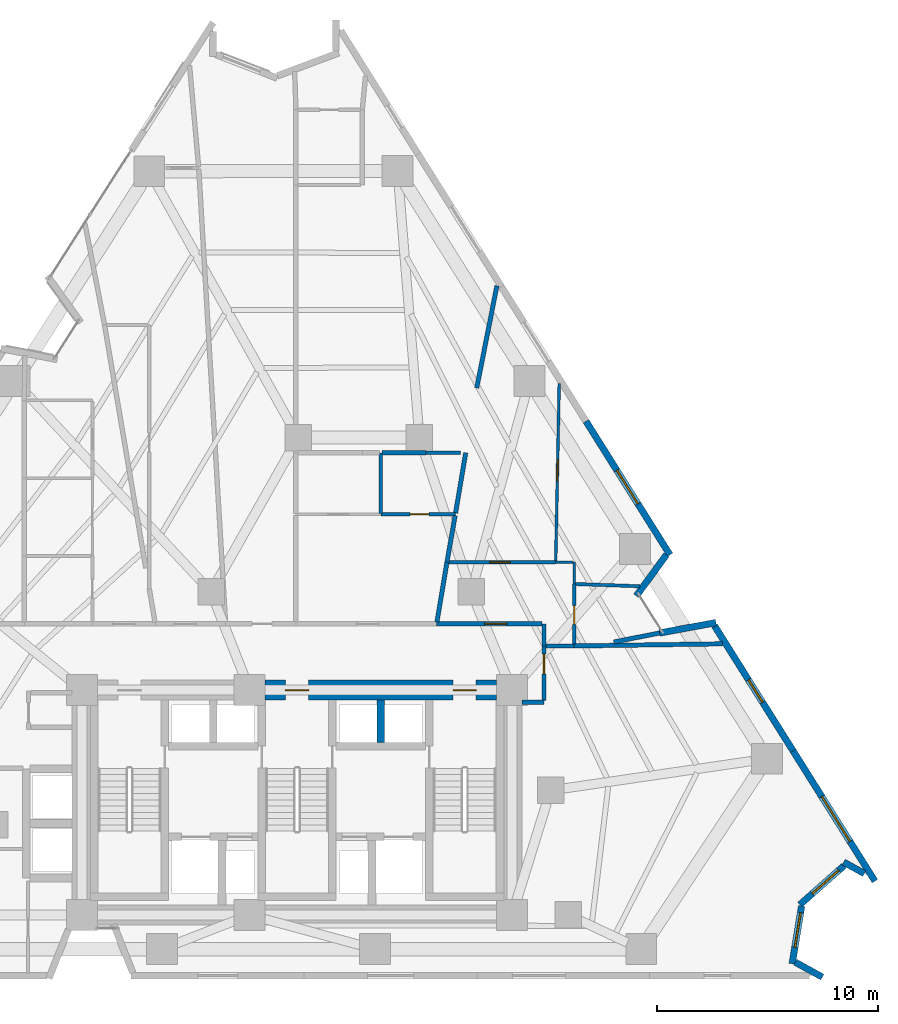
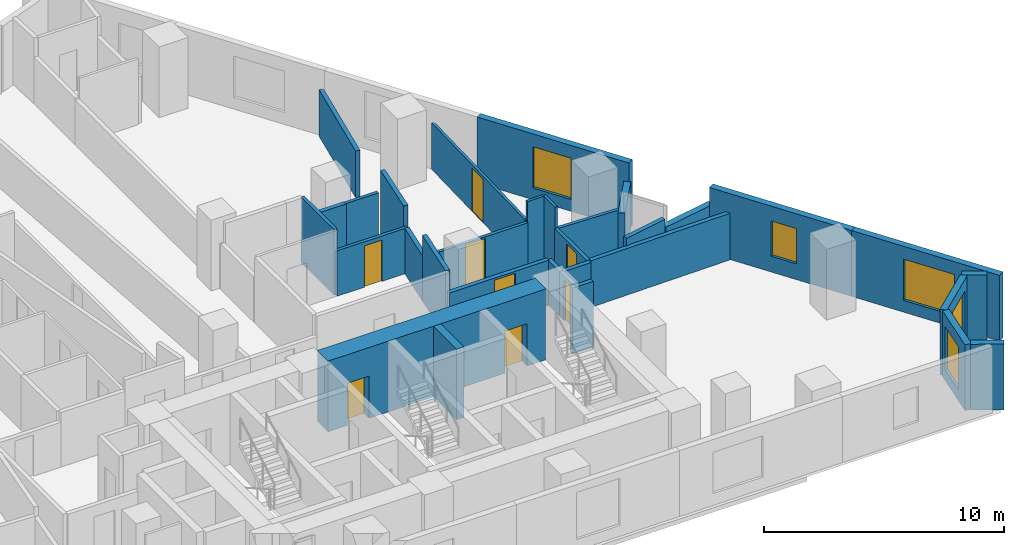
# One storey, part 9 of 12: 32 walls, 8 doors, 5 windows, 13 openings.
"""IFC4 building model written with IfcOpenShell, lengths in metres."""

from ifc_helpers import new_model, si_unit, direction, frame, frame_2d, origin, place, context, subcontext, project, spatial, rectangle, extrude, material, layer, layer_set, type_object, element, fill, save


model = new_model("IFC4")

# Units and contexts
model_context = context("Model", 3, precision=1e-05, world=origin(), true_north=direction((0.0, 1.0)))
body_context = subcontext(model_context, "Body", "Model", "MODEL_VIEW")
ifc_project = project(units=[si_unit("LENGTHUNIT", "METRE"), si_unit("AREAUNIT", "SQUARE_METRE"), si_unit("VOLUMEUNIT", "CUBIC_METRE"), si_unit("PLANEANGLEUNIT", "RADIAN"), si_unit("MASSUNIT", "GRAM", prefix="KILO")], contexts=[model_context])

# Site, building, storey
site_placement = place(None, origin())
site = spatial("IfcSite", under=ifc_project, at=site_placement, CompositionType="ELEMENT")
building_placement = place(site_placement, origin())
building = spatial("IfcBuilding", under=site, at=building_placement, Name="Almagre Mirador Tower", CompositionType="ELEMENT")
storey_placement = place(building_placement, frame((0.0, 0.0, 64.199951171875)))
storey = spatial("IfcBuildingStorey", under=building, at=storey_placement, Name="L15", CompositionType="ELEMENT", Elevation=64.199951171875)

# Wall, opening, window
ifc_material_1 = material(Name="Precast concrete C50/60", Category="concrete")
ifc_layer_1 = layer(ifc_material_1, 0.300048828125)
ifc_layer_set_1 = layer_set([ifc_layer_1], Name="Precast concrete C50/60")
wall_type_1 = type_object("IfcWallType", Name="WAL-EXT-300", PredefinedType="SOLIDWALL", material=ifc_layer_set_1)
wall_1_placement = place(storey_placement, frame((50.4072265625, 26.94140625, 0.0), z_axis=(0.0, 0.0, 1.0), x_axis=(0.531893353762, -0.846811348663, 0.0)))
wall_1 = element("IfcWall", 1, at=wall_1_placement, inside=storey, type_object=wall_type_1, Name="L15 expressed almagre precast frame wall 11", PredefinedType="SOLIDWALL", context=body_context, shape_type="SweptSolid", body=[
    extrude(rectangle(XDim=7.154052734375, YDim=0.300048828125, at=frame_2d((3.5771484375, 0.0))), origin(), (0.0, 0.0, 1.0), 3.35009765625),
])
opening_1_placement = place(wall_1_placement, frame((2.625, 0.0, 0.60009765625)))
opening_1 = element("IfcOpeningElement", 2, at=opening_1_placement, cuts=wall_1, Name="Opening WN-01", PredefinedType="OPENING", context=body_context, shape_type="SweptSolid", body=[
    extrude(rectangle(XDim=1.800048828125, YDim=2.10009765625, at=frame_2d((0.89990234375, 1.050048828125))), frame((0.0, 0.159902, 0.0), z_axis=(0.0, -1.0, 0.0), x_axis=(1.0, 0.0, 0.0)), (0.0, 0.0, 1.0), 0.320049),
])
ifc_material_2 = material(Name="Dark solar-control laminated hurricane glass", Category="glass")
window_type_1 = type_object("IfcWindowType", Name="WIN-1800X2100", PartitioningType="DOUBLE_PANEL_VERTICAL", PredefinedType="WINDOW", material=ifc_material_2)
window_1_placement = place(opening_1_placement, origin())
window_1 = element("IfcWindow", 3, at=window_1_placement, inside=storey, type_object=window_type_1, Name="L15 recessed hurricane window L15-UJ-KT", OverallHeight=2.10009765625, OverallWidth=1.800048828125, PartitioningType="SINGLE_PANEL", PredefinedType="WINDOW", context=body_context, shape_type="SweptSolid", body=[
    extrude(rectangle(XDim=1.800048828125, YDim=2.10009765625, at=frame_2d((0.89990234375, 1.050048828125))), frame((0.0, 0.030029296875, 0.0), z_axis=(0.0, -1.0, 0.0), x_axis=(1.0, 0.0, 0.0)), (0.0, 0.0, 1.0), 0.06005859375),
])
fill(opening_1, window_1)

# Walls
wall_2_placement = place(storey_placement, frame((54.055419921875, 20.888916015625, 0.0), z_axis=(0.0, 0.0, 1.0), x_axis=(-0.590283720268, -0.80719584339, 0.0)))
element("IfcWall", 4, at=wall_2_placement, inside=storey, type_object=wall_type_1, Name="L15 expressed almagre precast frame wall 12", PredefinedType="SOLIDWALL", context=body_context, shape_type="SweptSolid", body=[
    extrude(rectangle(XDim=2.31396484375, YDim=0.300048828125, at=frame_2d((1.156982421875, 0.0))), origin(), (0.0, 0.0, 1.0), 2.375),
])
wall_3_placement = place(storey_placement, frame((53.746337890625, 17.339599609375, 0.0), z_axis=(0.0, 0.0, 1.0), x_axis=(0.983469951812, 0.181071405482, 0.0)))
element("IfcWall", 5, at=wall_3_placement, inside=storey, type_object=wall_type_1, Name="L15 expressed almagre precast frame wall 13", PredefinedType="SOLIDWALL", context=body_context, shape_type="SweptSolid", body=[
    extrude(rectangle(XDim=2.59423828125, YDim=0.300048828125, at=frame_2d((1.297119140625, 0.0))), origin(), (0.0, 0.0, 1.0), 2.375),
])

# Wall, opening, window
wall_4_placement = place(storey_placement, frame((56.231689453125, 17.669677734375, 0.0), z_axis=(0.0, 0.0, 1.0), x_axis=(0.531902990752, -0.846805295466, 0.0)))
wall_4 = element("IfcWall", 6, at=wall_4_placement, inside=storey, type_object=wall_type_1, Name="L15 expressed almagre precast frame wall 14", PredefinedType="SOLIDWALL", context=body_context, shape_type="SweptSolid", body=[
    extrude(rectangle(XDim=6.703125, YDim=0.300048828125, at=frame_2d((3.3515625, 0.0))), origin(), (0.0, 0.0, 1.0), 3.35009765625),
])
opening_2_placement = place(wall_4_placement, frame((2.89990234375, 0.0, 0.800048828125)))
opening_2 = element("IfcOpeningElement", 7, at=opening_2_placement, cuts=wall_4, Name="Opening WN-04", PredefinedType="OPENING", context=body_context, shape_type="SweptSolid", body=[
    extrude(rectangle(XDim=1.199951171875, YDim=1.800048828125, at=frame_2d((0.60009765625, 0.89990234375))), frame((0.0, 0.159902, 0.0), z_axis=(0.0, -1.0, 0.0), x_axis=(1.0, 0.0, 0.0)), (0.0, 0.0, 1.0), 0.320049),
])
ifc_material_3 = material(Name="Dark solar-control laminated hurricane glass", Category="glass")
window_type_2 = type_object("IfcWindowType", Name="WIN-1200X1800", PartitioningType="SINGLE_PANEL", PredefinedType="WINDOW", material=ifc_material_3)
window_2_placement = place(opening_2_placement, origin())
window_2 = element("IfcWindow", 8, at=window_2_placement, inside=storey, type_object=window_type_2, Name="L15 recessed hurricane window L15-UD-ST", OverallHeight=1.800048828125, OverallWidth=1.199951171875, PartitioningType="SINGLE_PANEL", PredefinedType="WINDOW", context=body_context, shape_type="SweptSolid", body=[
    extrude(rectangle(XDim=1.199951171875, YDim=1.800048828125, at=frame_2d((0.60009765625, 0.89990234375))), frame((0.0, 0.030029296875, 0.0), z_axis=(0.0, -1.0, 0.0), x_axis=(1.0, 0.0, 0.0)), (0.0, 0.0, 1.0), 0.06005859375),
])
fill(opening_2, window_2)

wall_5_placement = place(storey_placement, frame((59.797119140625, 11.993408203125, 0.0), z_axis=(0.0, 0.0, 1.0), x_axis=(0.531887762345, -0.846814860679, 0.0)))
wall_5 = element("IfcWall", 9, at=wall_5_placement, inside=storey, type_object=wall_type_1, Name="L15 expressed almagre precast frame wall 15", PredefinedType="SOLIDWALL", context=body_context, shape_type="SweptSolid", body=[
    extrude(rectangle(XDim=6.977783203125, YDim=0.300048828125, at=frame_2d((3.48876953125, 0.0))), origin(), (0.0, 0.0, 1.0), 3.35009765625),
])
opening_3_placement = place(wall_5_placement, frame((2.449951171875, 0.0, 0.60009765625)))
opening_3 = element("IfcOpeningElement", 10, at=opening_3_placement, cuts=wall_5, Name="Opening WN-02", PredefinedType="OPENING", context=body_context, shape_type="SweptSolid", body=[
    extrude(rectangle(XDim=2.39990234375, YDim=2.10009765625, at=frame_2d((1.199951171875, 1.050048828125))), frame((0.0, 0.159902, 0.0), z_axis=(0.0, -1.0, 0.0), x_axis=(1.0, 0.0, 0.0)), (0.0, 0.0, 1.0), 0.320049),
])
ifc_material_4 = material(Name="Dark solar-control laminated hurricane glass", Category="glass")
window_type_3 = type_object("IfcWindowType", Name="WIN-2400X2100", PartitioningType="TRIPLE_PANEL_VERTICAL", PredefinedType="WINDOW", material=ifc_material_4)
window_3_placement = place(opening_3_placement, origin())
window_3 = element("IfcWindow", 11, at=window_3_placement, inside=storey, type_object=window_type_3, Name="L15 recessed hurricane window L15-UD-KT", OverallHeight=2.10009765625, OverallWidth=2.39990234375, PartitioningType="SINGLE_PANEL", PredefinedType="WINDOW", context=body_context, shape_type="SweptSolid", body=[
    extrude(rectangle(XDim=2.39990234375, YDim=2.10009765625, at=frame_2d((1.199951171875, 1.050048828125))), frame((0.0, 0.030029296875, 0.0), z_axis=(0.0, -1.0, 0.0), x_axis=(1.0, 0.0, 0.0)), (0.0, 0.0, 1.0), 0.06005859375),
])
fill(opening_3, window_3)

# Wall
wall_6_placement = place(storey_placement, frame((63.027099609375, 6.427978515625, 0.0), z_axis=(0.0, 0.0, 1.0), x_axis=(-0.875134767643, 0.483879260211, 0.0)))
element("IfcWall", 12, at=wall_6_placement, inside=storey, type_object=wall_type_1, Name="L15 expressed almagre precast frame wall 16", PredefinedType="SOLIDWALL", context=body_context, shape_type="SweptSolid", body=[
    extrude(rectangle(XDim=1.070068359375, YDim=0.300048828125, at=frame_2d((0.53515625, 0.0))), origin(), (0.0, 0.0, 1.0), 3.35009765625),
])

# Wall, opening, window
wall_7_placement = place(storey_placement, frame((62.11181640625, 6.788818359375, 0.0), z_axis=(0.0, 0.0, 1.0), x_axis=(-0.749880449764, -0.661573360303, 0.0)))
wall_7 = element("IfcWall", 13, at=wall_7_placement, inside=storey, type_object=wall_type_1, Name="L15 expressed almagre precast frame wall 17", PredefinedType="SOLIDWALL", context=body_context, shape_type="SweptSolid", body=[
    extrude(rectangle(XDim=2.67626953125, YDim=0.300048828125, at=frame_2d((1.338134765625, 0.0))), origin(), (0.0, 0.0, 1.0), 3.35009765625),
])
opening_4_placement = place(wall_7_placement, frame((0.324951171875, 0.0, 0.550048828125)))
opening_4 = element("IfcOpeningElement", 14, at=opening_4_placement, cuts=wall_7, Name="Opening WN-06", PredefinedType="OPENING", context=body_context, shape_type="SweptSolid", body=[
    extrude(rectangle(XDim=1.60009765625, YDim=2.199951171875, at=frame_2d((0.800048828125, 1.10009765625))), frame((0.0, 0.159902, 0.0), z_axis=(0.0, -1.0, 0.0), x_axis=(1.0, 0.0, 0.0)), (0.0, 0.0, 1.0), 0.320049),
])
ifc_material_5 = material(Name="Dark solar-control laminated hurricane glass", Category="glass")
window_type_4 = type_object("IfcWindowType", Name="WIN-1600X2200", PartitioningType="DOUBLE_PANEL_VERTICAL", PredefinedType="WINDOW", material=ifc_material_5)
window_4_placement = place(opening_4_placement, origin())
window_4 = element("IfcWindow", 15, at=window_4_placement, inside=storey, type_object=window_type_4, Name="L15 recessed hurricane window L15-UD-KT", OverallHeight=2.199951171875, OverallWidth=1.60009765625, PartitioningType="SINGLE_PANEL", PredefinedType="WINDOW", context=body_context, shape_type="SweptSolid", body=[
    extrude(rectangle(XDim=1.60009765625, YDim=2.199951171875, at=frame_2d((0.800048828125, 1.10009765625))), frame((0.0, 0.030029296875, 0.0), z_axis=(0.0, -1.0, 0.0), x_axis=(1.0, 0.0, 0.0)), (0.0, 0.0, 1.0), 0.06005859375),
])
fill(opening_4, window_4)

wall_8_placement = place(storey_placement, frame((60.18505859375, 4.9580078125, 0.0), z_axis=(0.0, 0.0, 1.0), x_axis=(-0.16141694699, -0.986886300049, 0.0)))
wall_8 = element("IfcWall", 16, at=wall_8_placement, inside=storey, type_object=wall_type_1, Name="L15 expressed almagre precast frame wall 18", PredefinedType="SOLIDWALL", context=body_context, shape_type="SweptSolid", body=[
    extrude(rectangle(XDim=2.656005859375, YDim=0.300048828125, at=frame_2d((1.328125, 0.0))), origin(), (0.0, 0.0, 1.0), 3.35009765625),
])
opening_5_placement = place(wall_8_placement, frame((0.304931640625, 0.0, 0.550048828125)))
opening_5 = element("IfcOpeningElement", 17, at=opening_5_placement, cuts=wall_8, Name="Opening WN-06", PredefinedType="OPENING", context=body_context, shape_type="SweptSolid", body=[
    extrude(rectangle(XDim=1.60009765625, YDim=2.199951171875, at=frame_2d((0.800048828125, 1.10009765625))), frame((0.0, 0.159902, 0.0), z_axis=(0.0, -1.0, 0.0), x_axis=(1.0, 0.0, 0.0)), (0.0, 0.0, 1.0), 0.320049),
])
window_5_placement = place(opening_5_placement, origin())
window_5 = element("IfcWindow", 18, at=window_5_placement, inside=storey, type_object=window_type_4, Name="L15 recessed hurricane window L15-UD-KT", OverallHeight=2.199951171875, OverallWidth=1.60009765625, PartitioningType="SINGLE_PANEL", PredefinedType="WINDOW", context=body_context, shape_type="SweptSolid", body=[
    extrude(rectangle(XDim=1.60009765625, YDim=2.199951171875, at=frame_2d((0.800048828125, 1.10009765625))), frame((0.0, 0.030029296875, 0.0), z_axis=(0.0, -1.0, 0.0), x_axis=(1.0, 0.0, 0.0)), (0.0, 0.0, 1.0), 0.06005859375),
])
fill(opening_5, window_5)

# Walls
wall_9_placement = place(storey_placement, frame((59.897216796875, 2.40966796875, 0.0), z_axis=(0.0, 0.0, 1.0), x_axis=(0.875216279123, -0.483731810777, 0.0)))
element("IfcWall", 19, at=wall_9_placement, inside=storey, type_object=wall_type_1, Name="L15 expressed almagre precast frame wall 19", PredefinedType="SOLIDWALL", context=body_context, shape_type="SweptSolid", body=[
    extrude(rectangle(XDim=1.400146484375, YDim=0.300048828125, at=frame_2d((0.7001953125, 0.0))), origin(), (0.0, 0.0, 1.0), 3.35009765625),
])
ifc_material_6 = material(Name="Gypsum acoustic stud partition", Category="other")
ifc_layer_2 = layer(ifc_material_6, 0.125)
ifc_layer_set_2 = layer_set([ifc_layer_2], Name="Gypsum acoustic stud partition")
wall_type_2 = type_object("IfcWallType", Name="WAL-PRT-125-UTL", PredefinedType="PARTITIONING", material=ifc_layer_set_2)
wall_10_placement = place(storey_placement, frame((49.8701171875, 19.56005859375, 0.0), z_axis=(0.0, 0.0, 1.0), x_axis=(0.0, 1.0, 0.0)))
element("IfcWall", 20, at=wall_10_placement, inside=storey, type_object=wall_type_2, Name="L15 interior partition 065", PredefinedType="PARTITIONING", context=body_context, shape_type="SweptSolid", body=[
    extrude(rectangle(XDim=0.989990234375, YDim=0.125, at=frame_2d((0.4951171875, 0.0))), origin(), (0.0, 0.0, 1.0), 3.35009765625),
])
wall_11_placement = place(storey_placement, frame((49.822509765625, 20.550048828125, 0.0), z_axis=(0.0, 0.0, 1.0), x_axis=(-1.0, 0.0, 0.0)))
element("IfcWall", 21, at=wall_11_placement, inside=storey, type_object=wall_type_2, Name="L15 interior partition 066", PredefinedType="PARTITIONING", context=body_context, shape_type="SweptSolid", body=[
    extrude(rectangle(XDim=0.79248046875, YDim=0.125, at=frame_2d((0.396240234375, 0.0))), origin(), (0.0, 0.0, 1.0), 3.35009765625),
])

# Wall, opening, door
wall_12_placement = place(storey_placement, frame((49.18896484375, 28.658935546875, 0.0), z_axis=(0.0, 0.0, 1.0), x_axis=(-0.019620692223, -0.999807495689, 0.0)))
wall_12 = element("IfcWall", 22, at=wall_12_placement, inside=storey, type_object=wall_type_2, Name="L15 interior partition 069", PredefinedType="PARTITIONING", context=body_context, shape_type="SweptSolid", body=[
    extrude(rectangle(XDim=8.06298828125, YDim=0.125, at=frame_2d((4.031494140625, 0.0))), origin(), (0.0, 0.0, 1.0), 2.3701171875),
])
opening_6_placement = place(wall_12_placement, frame((3.462890625, 0.0, 0.0)))
opening_6 = element("IfcOpeningElement", 23, at=opening_6_placement, cuts=wall_12, Name="Opening UD-01", PredefinedType="OPENING", context=body_context, shape_type="SweptSolid", body=[
    extrude(rectangle(XDim=0.949951171875, YDim=2.199951171875, at=frame_2d((0.47509765625, 1.10009765625))), frame((0.0, 0.0725, 0.0), z_axis=(0.0, -1.0, 0.0), x_axis=(1.0, 0.0, 0.0)), (0.0, 0.0, 1.0), 0.145),
])
ifc_material_7 = material(Name="Solid American walnut timber", Category="wood")
door_type_1 = type_object("IfcDoorType", Name="DOR-UNR-950X2200", OperationType="NOTDEFINED", PredefinedType="DOOR", material=ifc_material_7)
door_1_placement = place(opening_6_placement, origin())
door_1 = element("IfcDoor", 24, at=door_1_placement, inside=storey, type_object=door_type_1, Name="DR-0514 L15 interior door L15-UJ-KT to L15-UJ-SL1", OperationType="SINGLE_SWING_RIGHT", OverallHeight=2.199951171875, OverallWidth=0.949951171875, PredefinedType="DOOR", context=body_context, shape_type="SweptSolid", body=[
    extrude(rectangle(XDim=0.949951171875, YDim=2.199951171875, at=frame_2d((0.47509765625, 1.10009765625))), frame((0.0, 0.02490234375, 0.0), z_axis=(0.0, -1.0, 0.0), x_axis=(1.0, 0.0, 0.0)), (0.0, 0.0, 1.0), 0.050048828125),
])
fill(opening_6, door_1)

ifc_material_8 = material(Name="Gypsum acoustic stud partition", Category="other")
ifc_layer_3 = layer(ifc_material_8, 0.14990234375)
ifc_layer_set_3 = layer_set([ifc_layer_3], Name="Gypsum acoustic stud partition")
wall_type_3 = type_object("IfcWallType", Name="WAL-PRT-150-STD", PredefinedType="PARTITIONING", material=ifc_layer_set_3)
wall_13_placement = place(storey_placement, frame((44.47998046875, 22.719970703125, 0.0), z_axis=(0.0, 0.0, 1.0), x_axis=(-1.0, 0.0, 0.0)))
wall_13 = element("IfcWall", 25, at=wall_13_placement, inside=storey, type_object=wall_type_3, Name="L15 interior partition 054", PredefinedType="PARTITIONING", context=body_context, shape_type="SweptSolid", body=[
    extrude(rectangle(XDim=3.3798828125, YDim=0.14990234375, at=frame_2d((1.68994140625, 0.0))), origin(), (0.0, 0.0, 1.0), 2.30908203125),
])
opening_7_placement = place(wall_13_placement, frame((1.205810546875, 0.0, 0.0)))
opening_7 = element("IfcOpeningElement", 26, at=opening_7_placement, cuts=wall_13, Name="Opening UD-04", PredefinedType="OPENING", context=body_context, shape_type="SweptSolid", body=[
    extrude(rectangle(XDim=0.85009765625, YDim=2.10009765625, at=frame_2d((0.425048828125, 1.050048828125))), frame((0.0, 0.084951, 0.0), z_axis=(0.0, -1.0, 0.0), x_axis=(1.0, 0.0, 0.0)), (0.0, 0.0, 1.0), 0.169902),
])
ifc_material_9 = material(Name="Moisture-resistant oak timber", Category="wood")
door_type_2 = type_object("IfcDoorType", Name="DOR-UNR-850X2100", OperationType="NOTDEFINED", PredefinedType="DOOR", material=ifc_material_9)
door_2_placement = place(opening_7_placement, origin())
door_2 = element("IfcDoor", 27, at=door_2_placement, inside=storey, type_object=door_type_2, Name="DR-0512 L15 interior door L15-UH-ST to L15-UH-BT", OperationType="SINGLE_SWING_RIGHT", OverallHeight=2.10009765625, OverallWidth=0.85009765625, PredefinedType="DOOR", context=body_context, shape_type="SweptSolid", body=[
    extrude(rectangle(XDim=0.85009765625, YDim=2.10009765625, at=frame_2d((0.425048828125, 1.050048828125))), frame((0.0, 0.02490234375, 0.0), z_axis=(0.0, -1.0, 0.0), x_axis=(1.0, 0.0, 0.0)), (0.0, 0.0, 1.0), 0.050048828125),
])
fill(opening_7, door_2)

# Wall
wall_14_placement = place(storey_placement, frame((41.10009765625, 22.767578125, 0.0), z_axis=(0.0, 0.0, 1.0), x_axis=(0.0, 1.0, 0.0)))
element("IfcWall", 28, at=wall_14_placement, inside=storey, type_object=wall_type_3, Name="L15 interior partition 058", PredefinedType="PARTITIONING", context=body_context, shape_type="SweptSolid", body=[
    extrude(rectangle(XDim=2.742431640625, YDim=0.14990234375, at=frame_2d((1.37109375, 0.0))), origin(), (0.0, 0.0, 1.0), 3.35009765625),
])

# Wall, opening, door
wall_15_placement = place(storey_placement, frame((49.8701171875, 16.8349609375, 0.0), z_axis=(0.0, 0.0, 1.0), x_axis=(0.0, 1.0, 0.0)))
wall_15 = element("IfcWall", 29, at=wall_15_placement, inside=storey, type_object=wall_type_3, Name="L15 interior partition 064", PredefinedType="PARTITIONING", context=body_context, shape_type="SweptSolid", body=[
    extrude(rectangle(XDim=2.72509765625, YDim=0.14990234375, at=frame_2d((1.362548828125, 0.0))), origin(), (0.0, 0.0, 1.0), 2.279052734375),
])
opening_8_placement = place(wall_15_placement, frame((0.89501953125, 0.0, 0.0)))
opening_8 = element("IfcOpeningElement", 30, at=opening_8_placement, cuts=wall_15, Name="Opening UD-04", PredefinedType="OPENING", context=body_context, shape_type="SweptSolid", body=[
    extrude(rectangle(XDim=0.85009765625, YDim=2.10009765625, at=frame_2d((0.425048828125, 1.050048828125))), frame((0.0, 0.084951, 0.0), z_axis=(0.0, -1.0, 0.0), x_axis=(1.0, 0.0, 0.0)), (0.0, 0.0, 1.0), 0.169902),
])
door_3_placement = place(opening_8_placement, origin())
door_3 = element("IfcDoor", 31, at=door_3_placement, inside=storey, type_object=door_type_2, Name="DR-0515 L15 interior door L15-UJ-ST to L15-UJ-HB", OperationType="SINGLE_SWING_LEFT", OverallHeight=2.10009765625, OverallWidth=0.85009765625, PredefinedType="DOOR", context=body_context, shape_type="SweptSolid", body=[
    extrude(rectangle(XDim=0.85009765625, YDim=2.10009765625, at=frame_2d((0.425048828125, 1.050048828125))), frame((0.0, 0.02490234375, 0.0), z_axis=(0.0, -1.0, 0.0), x_axis=(1.0, 0.0, 0.0)), (0.0, 0.0, 1.0), 0.050048828125),
])
fill(opening_8, door_3)

wall_16_placement = place(storey_placement, frame((49.030029296875, 20.550048828125, 0.0), z_axis=(0.0, 0.0, 1.0), x_axis=(-1.0, 0.0, 0.0)))
wall_16 = element("IfcWall", 32, at=wall_16_placement, inside=storey, type_object=wall_type_3, Name="L15 interior partition 067", PredefinedType="PARTITIONING", context=body_context, shape_type="SweptSolid", body=[
    extrude(rectangle(XDim=4.844970703125, YDim=0.14990234375, at=frame_2d((2.42236328125, 0.0))), origin(), (0.0, 0.0, 1.0), 2.279052734375),
])
opening_9_placement = place(wall_16_placement, frame((2.0498046875, 0.0, 0.0)))
opening_9 = element("IfcOpeningElement", 33, at=opening_9_placement, cuts=wall_16, Name="Opening UD-01", PredefinedType="OPENING", context=body_context, shape_type="SweptSolid", body=[
    extrude(rectangle(XDim=0.949951171875, YDim=2.199951171875, at=frame_2d((0.47509765625, 1.10009765625))), frame((0.0, 0.084951, 0.0), z_axis=(0.0, -1.0, 0.0), x_axis=(1.0, 0.0, 0.0)), (0.0, 0.0, 1.0), 0.169902),
])
door_4_placement = place(opening_9_placement, origin())
door_4 = element("IfcDoor", 34, at=door_4_placement, inside=storey, type_object=door_type_1, Name="DR-0521 L15 interior door L15-UJ-ST to L15-UJ-SL1", OperationType="SINGLE_SWING_RIGHT", OverallHeight=2.199951171875, OverallWidth=0.949951171875, PredefinedType="DOOR", context=body_context, shape_type="SweptSolid", body=[
    extrude(rectangle(XDim=0.949951171875, YDim=2.199951171875, at=frame_2d((0.47509765625, 1.10009765625))), frame((0.0, 0.02490234375, 0.0), z_axis=(0.0, -1.0, 0.0), x_axis=(1.0, 0.0, 0.0)), (0.0, 0.0, 1.0), 0.050048828125),
])
fill(opening_9, door_4)

# Walls
wall_17_placement = place(storey_placement, frame((52.861083984375, 19.4560546875, 0.0), z_axis=(0.0, 0.0, 1.0), x_axis=(-0.999391578041, 0.034877983608, 0.0)))
element("IfcWall", 35, at=wall_17_placement, inside=storey, type_object=wall_type_3, Name="L15 interior partition 068", PredefinedType="PARTITIONING", context=body_context, shape_type="SweptSolid", body=[
    extrude(rectangle(XDim=2.932861328125, YDim=0.14990234375, at=frame_2d((1.46630859375, 0.0))), origin(), (0.0, 0.0, 1.0), 2.279052734375),
])
wall_18_placement = place(storey_placement, frame((44.70703125, 25.510009765625, 0.0), z_axis=(0.0, 0.0, 1.0), x_axis=(-1.0, 0.0, 0.0)))
element("IfcWall", 36, at=wall_18_placement, inside=storey, type_object=wall_type_3, Name="L15 interior partition 095", PredefinedType="PARTITIONING", context=body_context, shape_type="SweptSolid", body=[
    extrude(rectangle(XDim=1.567138671875, YDim=0.14990234375, at=frame_2d((0.78369140625, 0.0))), origin(), (0.0, 0.0, 1.0), 2.30908203125),
])
ifc_material_10 = material(Name="Gypsum acoustic stud partition", Category="other")
ifc_layer_4 = layer(ifc_material_10, 0.199951171875)
ifc_layer_set_4 = layer_set([ifc_layer_4], Name="Gypsum acoustic stud partition")
wall_type_4 = type_object("IfcWallType", Name="WAL-PRT-200-EI60", PredefinedType="PARTITIONING", material=ifc_layer_set_4)
wall_19_placement = place(storey_placement, frame((47.5, 14.199951171875, 0.0), z_axis=(0.0, 0.0, 1.0), x_axis=(1.0, 0.0, 0.0)))
element("IfcWall", 37, at=wall_19_placement, inside=storey, type_object=wall_type_4, Name="L15 interior partition 003", PredefinedType="PARTITIONING", context=body_context, shape_type="SweptSolid", body=[
    extrude(rectangle(XDim=1.0, YDim=0.199951171875, at=frame_2d((0.5, 0.0))), origin(), (0.0, 0.0, 1.0), 3.35009765625),
])

# Wall, opening, door
wall_20_placement = place(storey_placement, frame((48.5, 14.284912109375, 0.0), z_axis=(0.0, 0.0, 1.0), x_axis=(0.0, 1.0, 0.0)))
wall_20 = element("IfcWall", 38, at=wall_20_placement, inside=storey, type_object=wall_type_4, Name="L15 interior partition 004", PredefinedType="PARTITIONING", context=body_context, shape_type="SweptSolid", body=[
    extrude(rectangle(XDim=2.465087890625, YDim=0.199951171875, at=frame_2d((1.232421875, 0.0))), origin(), (0.0, 0.0, 1.0), 2.279052734375),
])
opening_10_placement = place(wall_20_placement, frame((1.19677734375, 0.0, 0.0)))
opening_10 = element("IfcOpeningElement", 39, at=opening_10_placement, cuts=wall_20, Name="Opening ID-03", PredefinedType="OPENING", context=body_context, shape_type="SweptSolid", body=[
    extrude(rectangle(XDim=0.89990234375, YDim=2.10009765625, at=frame_2d((0.449951171875, 1.050048828125))), frame((0.0, 0.110098, 0.0), z_axis=(0.0, -1.0, 0.0), x_axis=(1.0, 0.0, 0.0)), (0.0, 0.0, 1.0), 0.219951),
])
ifc_material_11 = material(Name="Fire-rated hollow steel", Category="steel")
door_type_3 = type_object("IfcDoorType", Name="DOR-FD60-900X2100", OperationType="NOTDEFINED", PredefinedType="DOOR", material=ifc_material_11)
door_5_placement = place(opening_10_placement, origin())
door_5 = element("IfcDoor", 40, at=door_5_placement, inside=storey, type_object=door_type_3, Name="DR-0498 L15 interior door L15-RCOR to L15-RST-C", OperationType="SINGLE_SWING_RIGHT", OverallHeight=2.10009765625, OverallWidth=0.89990234375, PredefinedType="DOOR", context=body_context, shape_type="SweptSolid", body=[
    extrude(rectangle(XDim=0.89990234375, YDim=2.10009765625, at=frame_2d((0.449951171875, 1.050048828125))), frame((0.0, 0.02490234375, 0.0), z_axis=(0.0, -1.0, 0.0), x_axis=(1.0, 0.0, 0.0)), (0.0, 0.0, 1.0), 0.050048828125),
])
fill(opening_10, door_5)

# Wall
wall_21_placement = place(storey_placement, frame((48.5, 16.75, 0.0), z_axis=(0.0, 0.0, 1.0), x_axis=(0.0, 1.0, 0.0)))
element("IfcWall", 41, at=wall_21_placement, inside=storey, type_object=wall_type_4, Name="L15 interior partition 010", PredefinedType="PARTITIONING", context=body_context, shape_type="SweptSolid", body=[
    extrude(rectangle(XDim=1.0, YDim=0.199951171875, at=frame_2d((0.5, 0.0))), origin(), (0.0, 0.0, 1.0), 2.279052734375),
])

# Wall, opening, door
wall_22_placement = place(storey_placement, frame((48.4150390625, 17.75, 0.0), z_axis=(0.0, 0.0, 1.0), x_axis=(-1.0, 0.0, 0.0)))
wall_22 = element("IfcWall", 42, at=wall_22_placement, inside=storey, type_object=wall_type_4, Name="L15 interior partition 011", PredefinedType="PARTITIONING", context=body_context, shape_type="SweptSolid", body=[
    extrude(rectangle(XDim=4.78515625, YDim=0.199951171875, at=frame_2d((2.392578125, 0.0))), origin(), (0.0, 0.0, 1.0), 2.30908203125),
])
opening_11_placement = place(wall_22_placement, frame((1.610595703125, 0.0, 0.0)))
opening_11 = element("IfcOpeningElement", 43, at=opening_11_placement, cuts=wall_22, Name="Opening ID-01", PredefinedType="OPENING", context=body_context, shape_type="SweptSolid", body=[
    extrude(rectangle(XDim=1.0, YDim=2.199951171875, at=frame_2d((0.5, 1.10009765625))), frame((0.0, 0.110098, 0.0), z_axis=(0.0, -1.0, 0.0), x_axis=(1.0, 0.0, 0.0)), (0.0, 0.0, 1.0), 0.219951),
])
ifc_material_12 = material(Name="Fire-rated walnut timber", Category="wood")
door_type_4 = type_object("IfcDoorType", Name="DOR-FD60-1000X2200", OperationType="NOTDEFINED", PredefinedType="DOOR", material=ifc_material_12)
door_6_placement = place(opening_11_placement, origin())
door_6 = element("IfcDoor", 44, at=door_6_placement, inside=storey, type_object=door_type_4, Name="DR-0513 L15 interior door L15-RCOR to L15-UJ-ST", OperationType="SINGLE_SWING_LEFT", OverallHeight=2.199951171875, OverallWidth=1.0, PredefinedType="DOOR", context=body_context, shape_type="SweptSolid", body=[
    extrude(rectangle(XDim=1.0, YDim=2.199951171875, at=frame_2d((0.5, 1.10009765625))), frame((0.0, 0.02490234375, 0.0), z_axis=(0.0, -1.0, 0.0), x_axis=(1.0, 0.0, 0.0)), (0.0, 0.0, 1.0), 0.050048828125),
])
fill(opening_11, door_6)

# Walls
wall_23_placement = place(storey_placement, frame((49.8701171875, 16.75, 0.0), z_axis=(0.0, 0.0, 1.0), x_axis=(-1.0, 0.0, 0.0)))
element("IfcWall", 45, at=wall_23_placement, inside=storey, type_object=wall_type_4, Name="L15 interior partition 026", PredefinedType="PARTITIONING", context=body_context, shape_type="SweptSolid", body=[
    extrude(rectangle(XDim=1.28515625, YDim=0.199951171875, at=frame_2d((0.642578125, 0.0))), origin(), (0.0, 0.0, 1.0), 2.279052734375),
])
wall_24_placement = place(storey_placement, frame((53.7470703125, 17.337890625, 0.0), z_axis=(0.0, 0.0, 1.0), x_axis=(-0.981321847167, -0.192373158918, 0.0)))
element("IfcWall", 46, at=wall_24_placement, inside=storey, type_object=wall_type_4, Name="L15 interior partition 038", PredefinedType="PARTITIONING", context=body_context, shape_type="SweptSolid", body=[
    extrude(rectangle(XDim=2.12060546875, YDim=0.199951171875, at=frame_2d((1.060302734375, 0.0))), origin(), (0.0, 0.0, 1.0), 2.77099609375),
])
wall_25_placement = place(storey_placement, frame((43.64404296875, 17.833740234375, 0.0), z_axis=(0.0, 0.0, 1.0), x_axis=(0.165577528193, 0.986196776591, 0.0)))
element("IfcWall", 47, at=wall_25_placement, inside=storey, type_object=wall_type_4, Name="L15 interior partition 055", PredefinedType="PARTITIONING", context=body_context, shape_type="SweptSolid", body=[
    extrude(rectangle(XDim=2.75439453125, YDim=0.199951171875, at=frame_2d((1.377197265625, 0.0))), origin(), (0.0, 0.0, 1.0), 3.35009765625),
])
wall_26_placement = place(storey_placement, frame((44.10009765625, 20.550048828125, 0.0), z_axis=(0.0, 0.0, 1.0), x_axis=(0.17248534527, 0.985012084021, 0.0)))
element("IfcWall", 48, at=wall_26_placement, inside=storey, type_object=wall_type_4, Name="L15 interior partition 056", PredefinedType="PARTITIONING", context=body_context, shape_type="SweptSolid", body=[
    extrude(rectangle(XDim=2.14306640625, YDim=0.199951171875, at=frame_2d((1.071533203125, 0.0))), origin(), (0.0, 0.0, 1.0), 2.30908203125),
])
wall_27_placement = place(storey_placement, frame((44.489990234375, 22.779296875, 0.0), z_axis=(0.0, 0.0, 1.0), x_axis=(0.166100060311, 0.986108903704, 0.0)))
element("IfcWall", 49, at=wall_27_placement, inside=storey, type_object=wall_type_4, Name="L15 interior partition 062", PredefinedType="PARTITIONING", context=body_context, shape_type="SweptSolid", body=[
    extrude(rectangle(XDim=2.769287109375, YDim=0.199951171875, at=frame_2d((1.384765625, 0.0))), origin(), (0.0, 0.0, 1.0), 3.35009765625),
])
wall_28_placement = place(storey_placement, frame((43.139892578125, 25.510009765625, 0.0), z_axis=(0.0, 0.0, 1.0), x_axis=(-1.0, 0.0, 0.0)))
element("IfcWall", 50, at=wall_28_placement, inside=storey, type_object=wall_type_4, Name="L15 interior partition 063", PredefinedType="PARTITIONING", context=body_context, shape_type="SweptSolid", body=[
    extrude(rectangle(XDim=1.97998046875, YDim=0.199951171875, at=frame_2d((0.989990234375, 0.0))), origin(), (0.0, 0.0, 1.0), 2.30908203125),
])
wall_29_placement = place(storey_placement, frame((46.364990234375, 33.083984375, 0.0), z_axis=(0.0, 0.0, 1.0), x_axis=(-0.193720090738, -0.981056841597, 0.0)))
element("IfcWall", 51, at=wall_29_placement, inside=storey, type_object=wall_type_4, Name="L15 interior partition 070", PredefinedType="PARTITIONING", context=body_context, shape_type="SweptSolid", body=[
    extrude(rectangle(XDim=4.7236328125, YDim=0.199951171875, at=frame_2d((2.36181640625, 0.0))), origin(), (0.0, 0.0, 1.0), 2.3701171875),
])
wall_30_placement = place(storey_placement, frame((56.593017578125, 16.845947265625, 0.0), z_axis=(0.0, 0.0, 1.0), x_axis=(-0.999898174742, -0.014270253937, 0.0)))
element("IfcWall", 52, at=wall_30_placement, inside=storey, type_object=wall_type_4, Name="L15 interior partition 093", PredefinedType="PARTITIONING", context=body_context, shape_type="SweptSolid", body=[
    extrude(rectangle(XDim=6.7236328125, YDim=0.199951171875, at=frame_2d((3.36181640625, 0.0))), origin(), (0.0, 0.0, 1.0), 2.3701171875),
])
ifc_material_13 = material(Name="Concrete C60/75", Category="concrete")
ifc_layer_5 = layer(ifc_material_13, 0.35009765625)
ifc_layer_set_5 = layer_set([ifc_layer_5], Name="Concrete C60/75")
wall_type_5 = type_object("IfcWallType", Name="WAL-SHF-350", PredefinedType="SOLIDWALL", material=ifc_layer_set_5)
wall_31_placement = place(storey_placement, frame((41.10009765625, 12.375, 0.0), z_axis=(0.0, 0.0, 1.0), x_axis=(0.0, 1.0, 0.0)))
element("IfcWall", 53, at=wall_31_placement, inside=storey, type_object=wall_type_5, Name="L15 shaft wall PLH-M", PredefinedType="SOLIDWALL", context=body_context, shape_type="SweptSolid", body=[
    extrude(rectangle(XDim=1.925048828125, YDim=0.35009765625, at=frame_2d((0.96240234375, 0.0))), origin(), (0.0, 0.0, 1.0), 3.60009765625),
])

# Wall, openings, doors
ifc_material_14 = material(Name="Concrete C70/85", Category="concrete")
ifc_layer_6 = layer(ifc_material_14, 0.89990234375)
ifc_layer_set_6 = layer_set([ifc_layer_6], Name="Concrete C70/85")
wall_type_6 = type_object("IfcWallType", Name="WAL-SHR-900", PredefinedType="SHEAR", material=ifc_layer_set_6)
wall_32_placement = place(storey_placement, frame((35.85009765625, 14.75, 0.0), z_axis=(0.0, 0.0, 1.0), x_axis=(1.0, 0.0, 0.0)))
wall_32 = element("IfcWall", 54, at=wall_32_placement, inside=storey, type_object=wall_type_6, Name="L15 core shear wall N2", PredefinedType="SHEAR", context=body_context, shape_type="SweptSolid", body=[
    extrude(rectangle(XDim=10.5, YDim=0.89990234375, at=frame_2d((5.25, 0.0))), origin(), (0.0, 0.0, 1.0), 3.60009765625),
])
opening_12_placement = place(wall_32_placement, frame((0.925048828125, 0.0, 0.0)))
opening_12 = element("IfcOpeningElement", 55, at=opening_12_placement, cuts=wall_32, Name="Opening SD-01", PredefinedType="OPENING", context=body_context, shape_type="SweptSolid", body=[
    extrude(rectangle(XDim=1.050048828125, YDim=2.14990234375, at=frame_2d((0.52490234375, 1.074951171875))), frame((0.0, 0.459951, 0.0), z_axis=(0.0, -1.0, 0.0), x_axis=(1.0, 0.0, 0.0)), (0.0, 0.0, 1.0), 0.919902),
])
opening_13_placement = place(wall_32_placement, frame((8.52490234375, 0.0, 0.0)))
opening_13 = element("IfcOpeningElement", 56, at=opening_13_placement, cuts=wall_32, Name="Opening SD-01", PredefinedType="OPENING", context=body_context, shape_type="SweptSolid", body=[
    extrude(rectangle(XDim=1.050048828125, YDim=2.14990234375, at=frame_2d((0.52490234375, 1.074951171875))), frame((0.0, 0.459951, 0.0), z_axis=(0.0, -1.0, 0.0), x_axis=(1.0, 0.0, 0.0)), (0.0, 0.0, 1.0), 0.919902),
])
ifc_material_15 = material(Name="Fire-rated hollow steel", Category="steel")
door_type_5 = type_object("IfcDoorType", Name="DOR-ST-1050X2150", OperationType="NOTDEFINED", PredefinedType="DOOR", material=ifc_material_15)
door_7_placement = place(opening_12_placement, origin())
door_7 = element("IfcDoor", 57, at=door_7_placement, inside=storey, type_object=door_type_5, Name="DR-0527 L15 protected exit stair ST-2 door", OperationType="SINGLE_SWING_RIGHT", OverallHeight=2.14990234375, OverallWidth=1.050048828125, PredefinedType="DOOR", context=body_context, shape_type="SweptSolid", body=[
    extrude(rectangle(XDim=1.050048828125, YDim=2.14990234375, at=frame_2d((0.52490234375, 1.074951171875))), frame((0.0, 0.02490234375, 0.0), z_axis=(0.0, -1.0, 0.0), x_axis=(1.0, 0.0, 0.0)), (0.0, 0.0, 1.0), 0.050048828125),
])
fill(opening_12, door_7)
door_8_placement = place(opening_13_placement, origin())
door_8 = element("IfcDoor", 58, at=door_8_placement, inside=storey, type_object=door_type_5, Name="DR-0528 L15 protected exit stair ST-3 door", OperationType="SINGLE_SWING_LEFT", OverallHeight=2.14990234375, OverallWidth=1.050048828125, PredefinedType="DOOR", context=body_context, shape_type="SweptSolid", body=[
    extrude(rectangle(XDim=1.050048828125, YDim=2.14990234375, at=frame_2d((0.52490234375, 1.074951171875))), frame((0.0, 0.02490234375, 0.0), z_axis=(0.0, -1.0, 0.0), x_axis=(1.0, 0.0, 0.0)), (0.0, 0.0, 1.0), 0.050048828125),
])
fill(opening_13, door_8)

save(model, "model.ifc")
